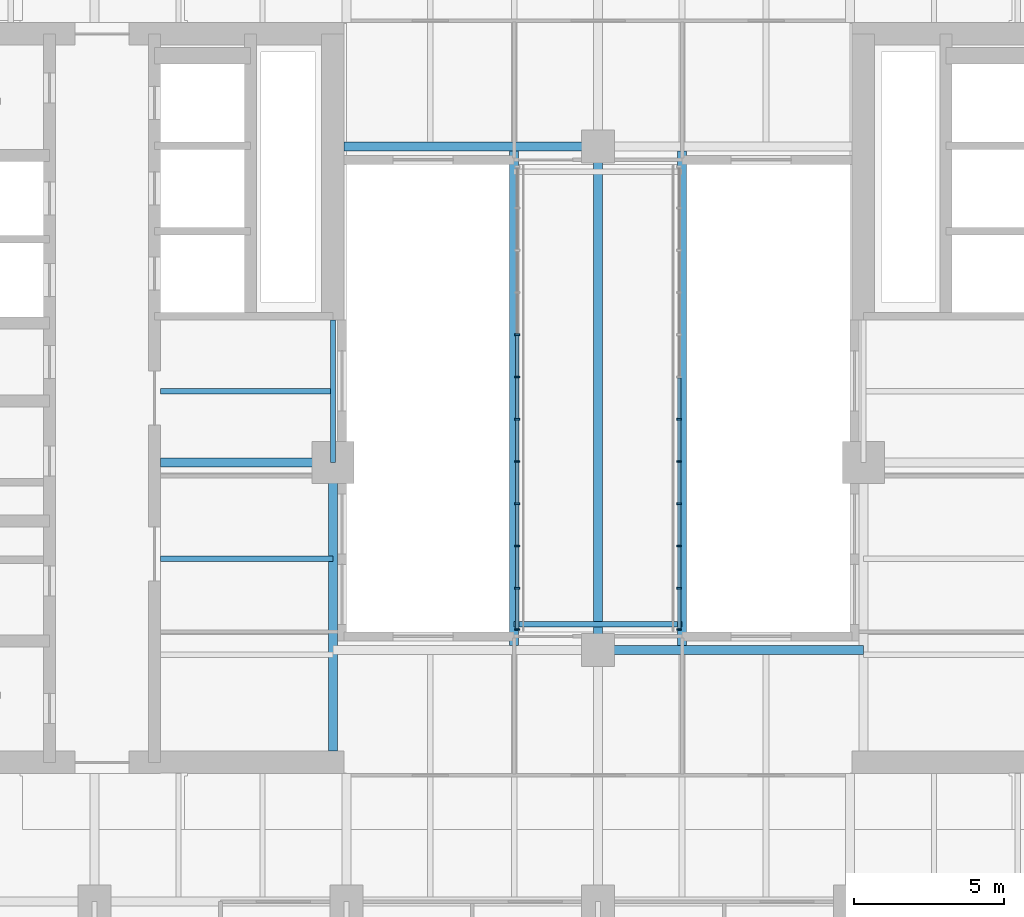
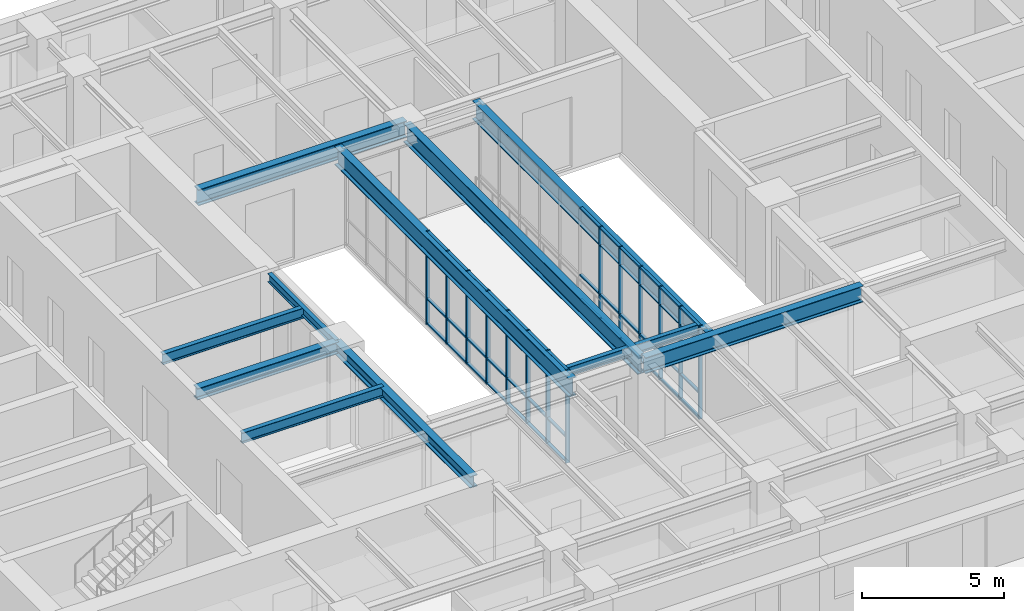
# One storey, part 2 of 15: 53 members, 11 beams, 2 elements without a shape of their own.
"""IFC4 building model written with IfcOpenShell, lengths in metres."""

from ifc_helpers import new_model, si_unit, direction, frame, origin, origin_2d, place, context, subcontext, project, spatial, rectangle, i_section, extrude, material, material_profile, profile_set, type_object, element, aggregate, save


model = new_model("IFC4")

# Units and contexts
model_context = context("Model", 3, precision=1e-05, world=origin(), true_north=direction((0.0, 1.0)))
body_context = subcontext(model_context, "Body", "Model", "MODEL_VIEW")
ifc_project = project(units=[si_unit("LENGTHUNIT", "METRE"), si_unit("AREAUNIT", "SQUARE_METRE"), si_unit("VOLUMEUNIT", "CUBIC_METRE"), si_unit("PLANEANGLEUNIT", "RADIAN"), si_unit("MASSUNIT", "GRAM", prefix="KILO")], contexts=[model_context])

# Site, building, storey
site_placement = place(None, origin())
site = spatial("IfcSite", under=ifc_project, at=site_placement, CompositionType="ELEMENT")
building_placement = place(site_placement, origin())
building = spatial("IfcBuilding", under=site, at=building_placement, Name="Claustro Exchange Tower", CompositionType="ELEMENT")
storey_placement = place(building_placement, frame((0.0, 0.0, 173.39990234375)))
storey = spatial("IfcBuildingStorey", under=building, at=storey_placement, Name="L39", CompositionType="ELEMENT", Elevation=173.39990234375)

# Beams
ifc_material_1 = material(Name="Steel S355", Category="steel")
ifc_material_profile_1 = material_profile(ifc_material_1, i_section(OverallWidth=0.300048828125, OverallDepth=0.68994140625, WebThickness=0.014404296875, FlangeThickness=0.027099609375, FilletRadius=0.027099609375, at=origin_2d()), Name="HE 700 A")
ifc_profile_set_1 = profile_set([ifc_material_profile_1], Name="Steel S355")
beam_type_1 = type_object("IfcBeamType", Name="B13 HE 700 A light well edge girder", PredefinedType="BEAM", material=ifc_profile_set_1)
beam_1_placement = place(storey_placement, frame((25.199951171875, 16.800048828125, 3.705078125), z_axis=(1.0, 0.0, 0.0), x_axis=(0.0, 1.0, 0.0)))
element("IfcBeam", 1, at=beam_1_placement, inside=storey, type_object=beam_type_1, Name="Beam B13 L40", PredefinedType="BEAM", context=body_context, shape_type="SweptSolid", body=[
    extrude(i_section(OverallWidth=0.300048828125, OverallDepth=0.68994140625, WebThickness=0.014404296875, FlangeThickness=0.027099609375, FilletRadius=0.027099609375, at=origin_2d()), origin(), (0.0, 0.0, 1.0), 8.85009765625),
])
beam_2_placement = place(storey_placement, frame((16.72509765625, 33.60009765625, 3.705078125), z_axis=(1.0, 0.0, 0.0), x_axis=(0.0, 1.0, 0.0)))
element("IfcBeam", 2, at=beam_2_placement, inside=storey, type_object=beam_type_1, Name="Beam B13 L40", PredefinedType="BEAM", context=body_context, shape_type="SweptSolid", body=[
    extrude(i_section(OverallWidth=0.300048828125, OverallDepth=0.68994140625, WebThickness=0.014404296875, FlangeThickness=0.027099609375, FilletRadius=0.027099609375, at=origin_2d()), origin(), (0.0, 0.0, 1.0), 8.474853515625),
])
ifc_material_2 = material(Name="Steel S355", Category="steel")
ifc_material_profile_2 = material_profile(ifc_material_2, i_section(OverallWidth=0.300048828125, OverallDepth=0.800048828125, WebThickness=0.017578125, FlangeThickness=0.032958984375, FilletRadius=0.030029296875, at=origin_2d()), Name="HE 800 B")
ifc_profile_set_2 = profile_set([ifc_material_profile_2], Name="Steel S355")
beam_type_2 = type_object("IfcBeamType", Name="B15 HE 800 B bridge roof girder", PredefinedType="BEAM", material=ifc_profile_set_2)
for number, where, z_axis, x_axis, name in (
    (3, (22.39990234375, 16.949951171875, 3.60009765625), (0.0, 1.0, 0.0), (-1.0, 0.0, 0.0), "Sky bridge girder B15 L39"),
    (4, (25.199951171875, 16.949951171875, 3.60009765625), (0.0, 1.0, 0.0), (-1.0, 0.0, 0.0), "Sky bridge girder B15 L39"),
    (5, (28.0, 16.949951171875, 3.60009765625), (0.0, 1.0, 0.0), (-1.0, 0.0, 0.0), "Sky bridge girder B15 L39"),
):
    element("IfcBeam", number, at=place(storey_placement, frame(where, z_axis=z_axis, x_axis=x_axis)), inside=storey, type_object=beam_type_2, Name=name, PredefinedType="BEAM", context=body_context, shape_type="SweptSolid", body=[
        extrude(i_section(OverallWidth=0.300048828125, OverallDepth=0.800048828125, WebThickness=0.017578125, FlangeThickness=0.032958984375, FilletRadius=0.030029296875, at=origin_2d()), origin(), (0.0, 0.0, 1.0), 16.5),
    ])
ifc_material_3 = material(Name="Steel S355", Category="steel")
ifc_material_profile_3 = material_profile(ifc_material_3, i_section(OverallWidth=0.169921875, OverallDepth=0.360107421875, WebThickness=0.008056640625, FlangeThickness=0.0126953125, FilletRadius=0.01806640625, at=origin_2d()), Name="IPE 360")
ifc_profile_set_3 = profile_set([ifc_material_profile_3], Name="Steel S355")
beam_type_3 = type_object("IfcBeamType", Name="B16 IPE 360 short-span beam", PredefinedType="BEAM", material=ifc_profile_set_3)
beam_3_placement = place(storey_placement, frame((16.35009765625, 23.050048828125, 3.8701171875), z_axis=(0.0, 1.0, 0.0), x_axis=(-1.0, 0.0, 0.0)))
element("IfcBeam", 6, at=beam_3_placement, inside=storey, type_object=beam_type_3, Name="Beam B16 core step framing L40", PredefinedType="BEAM", context=body_context, shape_type="SweptSolid", body=[
    extrude(i_section(OverallWidth=0.169921875, OverallDepth=0.360107421875, WebThickness=0.008056640625, FlangeThickness=0.0126953125, FilletRadius=0.01806640625, at=origin_2d()), origin(), (0.0, 0.0, 1.0), 4.75),
])
ifc_material_4 = material(Name="Steel S355", Category="steel")
ifc_material_profile_4 = material_profile(ifc_material_4, i_section(OverallWidth=0.179931640625, OverallDepth=0.39990234375, WebThickness=0.008544921875, FlangeThickness=0.013427734375, FilletRadius=0.02099609375, at=origin_2d()), Name="IPE 400")
ifc_profile_set_4 = profile_set([ifc_material_profile_4], Name="Steel S355")
beam_type_4 = type_object("IfcBeamType", Name="B21 IPE 400 sky bridge end trimmer", PredefinedType="BEAM", material=ifc_profile_set_4)
beam_4_placement = place(storey_placement, frame((22.39990234375, 17.64990234375, 3.800048828125), z_axis=(1.0, 0.0, 0.0), x_axis=(0.0, 1.0, 0.0)))
element("IfcBeam", 7, at=beam_4_placement, inside=storey, type_object=beam_type_4, Name="Sky bridge end trimmer B21 L39", PredefinedType="BEAM", context=body_context, shape_type="SweptSolid", body=[
    extrude(i_section(OverallWidth=0.179931640625, OverallDepth=0.39990234375, WebThickness=0.008544921875, FlangeThickness=0.013427734375, FilletRadius=0.02099609375, at=origin_2d()), origin(), (0.0, 0.0, 1.0), 5.60009765625),
])
ifc_material_5 = material(Name="Steel S355", Category="steel")
ifc_material_profile_5 = material_profile(ifc_material_5, i_section(OverallWidth=0.300048828125, OverallDepth=0.5, WebThickness=0.014404296875, FlangeThickness=0.028076171875, FilletRadius=0.027099609375, at=origin_2d()), Name="HE 500 B")
ifc_profile_set_5 = profile_set([ifc_material_profile_5], Name="Steel S355")
beam_type_5 = type_object("IfcBeamType", Name="B7 HE 500 B floor girder", PredefinedType="BEAM", material=ifc_profile_set_5)
beam_5_placement = place(storey_placement, frame((10.60009765625, 23.050048828125, 3.800048828125), z_axis=(1.0, 0.0, 0.0), x_axis=(0.0, 1.0, 0.0)))
element("IfcBeam", 8, at=beam_5_placement, inside=storey, type_object=beam_type_5, Name="Beam B7 core step framing L40", PredefinedType="BEAM", context=body_context, shape_type="SweptSolid", body=[
    extrude(i_section(OverallWidth=0.300048828125, OverallDepth=0.5, WebThickness=0.014404296875, FlangeThickness=0.028076171875, FilletRadius=0.027099609375, at=origin_2d()), origin(), (0.0, 0.0, 1.0), 5.75),
])
beam_6_placement = place(storey_placement, frame((16.35009765625, 13.425048828125, 3.800048828125), z_axis=(0.0, 1.0, 0.0), x_axis=(-1.0, 0.0, 0.0)))
element("IfcBeam", 9, at=beam_6_placement, inside=storey, type_object=beam_type_5, Name="Beam B7 core step framing L40", PredefinedType="BEAM", context=body_context, shape_type="SweptSolid", body=[
    extrude(i_section(OverallWidth=0.300048828125, OverallDepth=0.5, WebThickness=0.014404296875, FlangeThickness=0.028076171875, FilletRadius=0.027099609375, at=origin_2d()), origin(), (0.0, 0.0, 1.0), 9.625),
])
ifc_material_6 = material(Name="Steel S355", Category="steel")
ifc_material_profile_6 = material_profile(ifc_material_6, i_section(OverallWidth=0.18994140625, OverallDepth=0.449951171875, WebThickness=0.009521484375, FlangeThickness=0.0146484375, FilletRadius=0.02099609375, at=origin_2d()), Name="IPE 450")
ifc_profile_set_6 = profile_set([ifc_material_profile_6], Name="Steel S355")
beam_type_6 = type_object("IfcBeamType", Name="B8 IPE 450 secondary beam", PredefinedType="BEAM", material=ifc_profile_set_6)
for number, where, z_axis, x_axis, name in (
    (10, (10.60009765625, 19.841796875, 3.8251953125), (1.0, 0.0, 0.0), (0.0, 1.0, 0.0), "Beam B8 core step framing L40"),
    (11, (10.60009765625, 25.425048828125, 3.8251953125), (1.0, 0.0, 0.0), (0.0, 1.0, 0.0), "Beam B8 core step framing L40"),
):
    element("IfcBeam", number, at=place(storey_placement, frame(where, z_axis=z_axis, x_axis=x_axis)), inside=storey, type_object=beam_type_6, Name=name, PredefinedType="BEAM", context=body_context, shape_type="SweptSolid", body=[
        extrude(i_section(OverallWidth=0.18994140625, OverallDepth=0.449951171875, WebThickness=0.009521484375, FlangeThickness=0.0146484375, FilletRadius=0.02099609375, at=origin_2d()), origin(), (0.0, 0.0, 1.0), 5.75),
    ])

# Curtain wall, members
ifc_material_7 = material(Name="Aluminium frame, clear double glazing", Category="aluminium")
curtain_wall_type = type_object("IfcCurtainWallType", Name="CW2 sky bridge curtain wall", PredefinedType="USERDEFINED", material=ifc_material_7)
curtain_wall_1_placement = place(storey_placement, origin())
curtain_wall_1 = element("IfcCurtainWall", 12, at=curtain_wall_1_placement, inside=storey, type_object=curtain_wall_type, Name="Curtain wall CW2 L39", ObjectType="STICK CURTAIN WALL", PredefinedType="USERDEFINED")
ifc_material_8 = material(Name="Aluminium mullion", Category="aluminium")
ifc_material_profile_7 = material_profile(ifc_material_8, rectangle(XDim=0.159912109375, YDim=0.06005859375, at=origin_2d()), Name="CW2-M 60x160")
ifc_profile_set_7 = profile_set([ifc_material_profile_7], Name="Aluminium mullion")
member_type_1 = type_object("IfcMemberType", Name="CW2-M 60 x 160 mullion", PredefinedType="MULLION", material=ifc_profile_set_7)
member_1_placement = place(storey_placement, frame((22.5, 17.47998046875, 0.0), z_axis=(0.0, 0.0, 1.0), x_axis=(-1.0, 0.0, 0.0)))
member_1 = element("IfcMember", 13, at=member_1_placement, type_object=member_type_1, Name="CW2 mullion 1", PredefinedType="MULLION", context=body_context, shape_type="SweptSolid", body=[
    extrude(rectangle(XDim=0.159912109375, YDim=0.06005859375, at=origin_2d()), origin(), (0.0, 0.0, 1.0), 4.0),
])
member_2_placement = place(storey_placement, frame((22.5, 18.859130859375, 0.0), z_axis=(0.0, 0.0, 1.0), x_axis=(-1.0, 0.0, 0.0)))
member_2 = element("IfcMember", 14, at=member_2_placement, type_object=member_type_1, Name="CW2 mullion 2", PredefinedType="MULLION", context=body_context, shape_type="SweptSolid", body=[
    extrude(rectangle(XDim=0.159912109375, YDim=0.06005859375, at=origin_2d()), origin(), (0.0, 0.0, 1.0), 4.0),
])
member_3_placement = place(storey_placement, frame((22.5, 20.26806640625, 0.0), z_axis=(0.0, 0.0, 1.0), x_axis=(-1.0, 0.0, 0.0)))
member_3 = element("IfcMember", 15, at=member_3_placement, type_object=member_type_1, Name="CW2 mullion 3", PredefinedType="MULLION", context=body_context, shape_type="SweptSolid", body=[
    extrude(rectangle(XDim=0.159912109375, YDim=0.06005859375, at=origin_2d()), origin(), (0.0, 0.0, 1.0), 4.0),
])
member_4_placement = place(storey_placement, frame((22.5, 21.67724609375, 0.0), z_axis=(0.0, 0.0, 1.0), x_axis=(-1.0, 0.0, 0.0)))
member_4 = element("IfcMember", 16, at=member_4_placement, type_object=member_type_1, Name="CW2 mullion 4", PredefinedType="MULLION", context=body_context, shape_type="SweptSolid", body=[
    extrude(rectangle(XDim=0.159912109375, YDim=0.06005859375, at=origin_2d()), origin(), (0.0, 0.0, 1.0), 4.0),
])
member_5_placement = place(storey_placement, frame((22.5, 23.08642578125, 0.0), z_axis=(0.0, 0.0, 1.0), x_axis=(-1.0, 0.0, 0.0)))
member_5 = element("IfcMember", 17, at=member_5_placement, type_object=member_type_1, Name="CW2 mullion 5", PredefinedType="MULLION", context=body_context, shape_type="SweptSolid", body=[
    extrude(rectangle(XDim=0.159912109375, YDim=0.06005859375, at=origin_2d()), origin(), (0.0, 0.0, 1.0), 4.0),
])
member_6_placement = place(storey_placement, frame((22.5, 24.495361328125, 0.0), z_axis=(0.0, 0.0, 1.0), x_axis=(-1.0, 0.0, 0.0)))
member_6 = element("IfcMember", 18, at=member_6_placement, type_object=member_type_1, Name="CW2 mullion 6", PredefinedType="MULLION", context=body_context, shape_type="SweptSolid", body=[
    extrude(rectangle(XDim=0.159912109375, YDim=0.06005859375, at=origin_2d()), origin(), (0.0, 0.0, 1.0), 4.0),
])
member_7_placement = place(storey_placement, frame((22.5, 25.904541015625, 0.0), z_axis=(0.0, 0.0, 1.0), x_axis=(-1.0, 0.0, 0.0)))
member_7 = element("IfcMember", 19, at=member_7_placement, type_object=member_type_1, Name="CW2 mullion 7", PredefinedType="MULLION", context=body_context, shape_type="SweptSolid", body=[
    extrude(rectangle(XDim=0.159912109375, YDim=0.06005859375, at=origin_2d()), origin(), (0.0, 0.0, 1.0), 4.0),
])
member_8_placement = place(storey_placement, frame((22.5, 27.313720703125, 0.0), z_axis=(0.0, 0.0, 1.0), x_axis=(-1.0, 0.0, 0.0)))
member_8 = element("IfcMember", 20, at=member_8_placement, type_object=member_type_1, Name="CW2 mullion 8", PredefinedType="MULLION", context=body_context, shape_type="SweptSolid", body=[
    extrude(rectangle(XDim=0.159912109375, YDim=0.06005859375, at=origin_2d()), origin(), (0.0, 0.0, 1.0), 4.0),
])

curtain_wall_2_placement = place(storey_placement, origin())
curtain_wall_2 = element("IfcCurtainWall", 21, at=curtain_wall_2_placement, inside=storey, type_object=curtain_wall_type, Name="Curtain wall CW2 L39", ObjectType="STICK CURTAIN WALL", PredefinedType="USERDEFINED")
member_9_placement = place(storey_placement, frame((27.89990234375, 17.47998046875, 0.0), z_axis=(0.0, 0.0, 1.0), x_axis=(-1.0, 0.0, 0.0)))
member_9 = element("IfcMember", 22, at=member_9_placement, type_object=member_type_1, Name="CW2 mullion 1", PredefinedType="MULLION", context=body_context, shape_type="SweptSolid", body=[
    extrude(rectangle(XDim=0.159912109375, YDim=0.06005859375, at=origin_2d()), origin(), (0.0, 0.0, 1.0), 4.0),
])
member_10_placement = place(storey_placement, frame((27.89990234375, 18.859130859375, 0.0), z_axis=(0.0, 0.0, 1.0), x_axis=(-1.0, 0.0, 0.0)))
member_10 = element("IfcMember", 23, at=member_10_placement, type_object=member_type_1, Name="CW2 mullion 2", PredefinedType="MULLION", context=body_context, shape_type="SweptSolid", body=[
    extrude(rectangle(XDim=0.159912109375, YDim=0.06005859375, at=origin_2d()), origin(), (0.0, 0.0, 1.0), 4.0),
])
member_11_placement = place(storey_placement, frame((27.89990234375, 20.26806640625, 0.0), z_axis=(0.0, 0.0, 1.0), x_axis=(-1.0, 0.0, 0.0)))
member_11 = element("IfcMember", 24, at=member_11_placement, type_object=member_type_1, Name="CW2 mullion 3", PredefinedType="MULLION", context=body_context, shape_type="SweptSolid", body=[
    extrude(rectangle(XDim=0.159912109375, YDim=0.06005859375, at=origin_2d()), origin(), (0.0, 0.0, 1.0), 4.0),
])
member_12_placement = place(storey_placement, frame((27.89990234375, 21.67724609375, 0.0), z_axis=(0.0, 0.0, 1.0), x_axis=(-1.0, 0.0, 0.0)))
member_12 = element("IfcMember", 25, at=member_12_placement, type_object=member_type_1, Name="CW2 mullion 4", PredefinedType="MULLION", context=body_context, shape_type="SweptSolid", body=[
    extrude(rectangle(XDim=0.159912109375, YDim=0.06005859375, at=origin_2d()), origin(), (0.0, 0.0, 1.0), 4.0),
])
member_13_placement = place(storey_placement, frame((27.89990234375, 23.08642578125, 0.0), z_axis=(0.0, 0.0, 1.0), x_axis=(-1.0, 0.0, 0.0)))
member_13 = element("IfcMember", 26, at=member_13_placement, type_object=member_type_1, Name="CW2 mullion 5", PredefinedType="MULLION", context=body_context, shape_type="SweptSolid", body=[
    extrude(rectangle(XDim=0.159912109375, YDim=0.06005859375, at=origin_2d()), origin(), (0.0, 0.0, 1.0), 4.0),
])
member_14_placement = place(storey_placement, frame((27.89990234375, 24.495361328125, 0.0), z_axis=(0.0, 0.0, 1.0), x_axis=(-1.0, 0.0, 0.0)))
member_14 = element("IfcMember", 27, at=member_14_placement, type_object=member_type_1, Name="CW2 mullion 6", PredefinedType="MULLION", context=body_context, shape_type="SweptSolid", body=[
    extrude(rectangle(XDim=0.159912109375, YDim=0.06005859375, at=origin_2d()), origin(), (0.0, 0.0, 1.0), 4.0),
])

# Member
ifc_material_9 = material(Name="Aluminium transom", Category="aluminium")
ifc_material_profile_8 = material_profile(ifc_material_9, rectangle(XDim=0.1201171875, YDim=0.06005859375, at=origin_2d()), Name="CW2-T 60x120")
ifc_profile_set_8 = profile_set([ifc_material_profile_8], Name="Aluminium transom")
member_type_2 = type_object("IfcMemberType", Name="CW2-T 60 x 120 transom", PredefinedType="USERDEFINED", material=ifc_profile_set_8)
member_15_placement = place(storey_placement, frame((22.5, 17.510009765625, 0.030029296875), z_axis=(0.0, 1.0, 0.0), x_axis=(-1.0, 0.0, 0.0)))
member_15 = element("IfcMember", 28, at=member_15_placement, type_object=member_type_2, Name="CW2 transom 1.1", ObjectType="TRANSOM", PredefinedType="USERDEFINED", context=body_context, shape_type="SweptSolid", body=[
    extrude(rectangle(XDim=0.1201171875, YDim=0.06005859375, at=origin_2d()), origin(), (0.0, 0.0, 1.0), 1.319091796875),
])

member_16_placement = place(storey_placement, frame((22.5, 17.510009765625, 1.10009765625), z_axis=(0.0, 1.0, 0.0), x_axis=(-1.0, 0.0, 0.0)))
member_16 = element("IfcMember", 29, at=member_16_placement, type_object=member_type_2, Name="CW2 transom 1.2", ObjectType="TRANSOM", PredefinedType="USERDEFINED", context=body_context, shape_type="SweptSolid", body=[
    extrude(rectangle(XDim=0.1201171875, YDim=0.06005859375, at=origin_2d()), origin(), (0.0, 0.0, 1.0), 1.319091796875),
])

member_17_placement = place(storey_placement, frame((22.5, 17.510009765625, 3.97021484375), z_axis=(0.0, 1.0, 0.0), x_axis=(-1.0, 0.0, 0.0)))
member_17 = element("IfcMember", 30, at=member_17_placement, type_object=member_type_2, Name="CW2 transom 1.3", ObjectType="TRANSOM", PredefinedType="USERDEFINED", context=body_context, shape_type="SweptSolid", body=[
    extrude(rectangle(XDim=0.1201171875, YDim=0.06005859375, at=origin_2d()), origin(), (0.0, 0.0, 1.0), 1.319091796875),
])

member_18_placement = place(storey_placement, frame((22.5, 18.88916015625, 0.030029296875), z_axis=(0.0, 1.0, 0.0), x_axis=(-1.0, 0.0, 0.0)))
member_18 = element("IfcMember", 31, at=member_18_placement, type_object=member_type_2, Name="CW2 transom 2.1", ObjectType="TRANSOM", PredefinedType="USERDEFINED", context=body_context, shape_type="SweptSolid", body=[
    extrude(rectangle(XDim=0.1201171875, YDim=0.06005859375, at=origin_2d()), origin(), (0.0, 0.0, 1.0), 1.34912109375),
])

member_19_placement = place(storey_placement, frame((22.5, 18.88916015625, 1.10009765625), z_axis=(0.0, 1.0, 0.0), x_axis=(-1.0, 0.0, 0.0)))
member_19 = element("IfcMember", 32, at=member_19_placement, type_object=member_type_2, Name="CW2 transom 2.2", ObjectType="TRANSOM", PredefinedType="USERDEFINED", context=body_context, shape_type="SweptSolid", body=[
    extrude(rectangle(XDim=0.1201171875, YDim=0.06005859375, at=origin_2d()), origin(), (0.0, 0.0, 1.0), 1.34912109375),
])

member_20_placement = place(storey_placement, frame((22.5, 18.88916015625, 3.97021484375), z_axis=(0.0, 1.0, 0.0), x_axis=(-1.0, 0.0, 0.0)))
member_20 = element("IfcMember", 33, at=member_20_placement, type_object=member_type_2, Name="CW2 transom 2.3", ObjectType="TRANSOM", PredefinedType="USERDEFINED", context=body_context, shape_type="SweptSolid", body=[
    extrude(rectangle(XDim=0.1201171875, YDim=0.06005859375, at=origin_2d()), origin(), (0.0, 0.0, 1.0), 1.34912109375),
])

member_21_placement = place(storey_placement, frame((22.5, 20.298095703125, 0.030029296875), z_axis=(0.0, 1.0, 0.0), x_axis=(-1.0, 0.0, 0.0)))
member_21 = element("IfcMember", 34, at=member_21_placement, type_object=member_type_2, Name="CW2 transom 3.1", ObjectType="TRANSOM", PredefinedType="USERDEFINED", context=body_context, shape_type="SweptSolid", body=[
    extrude(rectangle(XDim=0.1201171875, YDim=0.06005859375, at=origin_2d()), origin(), (0.0, 0.0, 1.0), 1.34912109375),
])

member_22_placement = place(storey_placement, frame((22.5, 20.298095703125, 1.10009765625), z_axis=(0.0, 1.0, 0.0), x_axis=(-1.0, 0.0, 0.0)))
member_22 = element("IfcMember", 35, at=member_22_placement, type_object=member_type_2, Name="CW2 transom 3.2", ObjectType="TRANSOM", PredefinedType="USERDEFINED", context=body_context, shape_type="SweptSolid", body=[
    extrude(rectangle(XDim=0.1201171875, YDim=0.06005859375, at=origin_2d()), origin(), (0.0, 0.0, 1.0), 1.34912109375),
])

member_23_placement = place(storey_placement, frame((22.5, 20.298095703125, 3.97021484375), z_axis=(0.0, 1.0, 0.0), x_axis=(-1.0, 0.0, 0.0)))
member_23 = element("IfcMember", 36, at=member_23_placement, type_object=member_type_2, Name="CW2 transom 3.3", ObjectType="TRANSOM", PredefinedType="USERDEFINED", context=body_context, shape_type="SweptSolid", body=[
    extrude(rectangle(XDim=0.1201171875, YDim=0.06005859375, at=origin_2d()), origin(), (0.0, 0.0, 1.0), 1.34912109375),
])

member_24_placement = place(storey_placement, frame((22.5, 21.707275390625, 0.030029296875), z_axis=(0.0, 1.0, 0.0), x_axis=(-1.0, 0.0, 0.0)))
member_24 = element("IfcMember", 37, at=member_24_placement, type_object=member_type_2, Name="CW2 transom 4.1", ObjectType="TRANSOM", PredefinedType="USERDEFINED", context=body_context, shape_type="SweptSolid", body=[
    extrude(rectangle(XDim=0.1201171875, YDim=0.06005859375, at=origin_2d()), origin(), (0.0, 0.0, 1.0), 1.34912109375),
])

member_25_placement = place(storey_placement, frame((22.5, 21.707275390625, 1.10009765625), z_axis=(0.0, 1.0, 0.0), x_axis=(-1.0, 0.0, 0.0)))
member_25 = element("IfcMember", 38, at=member_25_placement, type_object=member_type_2, Name="CW2 transom 4.2", ObjectType="TRANSOM", PredefinedType="USERDEFINED", context=body_context, shape_type="SweptSolid", body=[
    extrude(rectangle(XDim=0.1201171875, YDim=0.06005859375, at=origin_2d()), origin(), (0.0, 0.0, 1.0), 1.34912109375),
])

member_26_placement = place(storey_placement, frame((22.5, 21.707275390625, 3.97021484375), z_axis=(0.0, 1.0, 0.0), x_axis=(-1.0, 0.0, 0.0)))
member_26 = element("IfcMember", 39, at=member_26_placement, type_object=member_type_2, Name="CW2 transom 4.3", ObjectType="TRANSOM", PredefinedType="USERDEFINED", context=body_context, shape_type="SweptSolid", body=[
    extrude(rectangle(XDim=0.1201171875, YDim=0.06005859375, at=origin_2d()), origin(), (0.0, 0.0, 1.0), 1.34912109375),
])

member_27_placement = place(storey_placement, frame((22.5, 23.116455078125, 0.030029296875), z_axis=(0.0, 1.0, 0.0), x_axis=(-1.0, 0.0, 0.0)))
member_27 = element("IfcMember", 40, at=member_27_placement, type_object=member_type_2, Name="CW2 transom 5.1", ObjectType="TRANSOM", PredefinedType="USERDEFINED", context=body_context, shape_type="SweptSolid", body=[
    extrude(rectangle(XDim=0.1201171875, YDim=0.06005859375, at=origin_2d()), origin(), (0.0, 0.0, 1.0), 1.34912109375),
])

member_28_placement = place(storey_placement, frame((22.5, 23.116455078125, 1.10009765625), z_axis=(0.0, 1.0, 0.0), x_axis=(-1.0, 0.0, 0.0)))
member_28 = element("IfcMember", 41, at=member_28_placement, type_object=member_type_2, Name="CW2 transom 5.2", ObjectType="TRANSOM", PredefinedType="USERDEFINED", context=body_context, shape_type="SweptSolid", body=[
    extrude(rectangle(XDim=0.1201171875, YDim=0.06005859375, at=origin_2d()), origin(), (0.0, 0.0, 1.0), 1.34912109375),
])

member_29_placement = place(storey_placement, frame((22.5, 23.116455078125, 3.97021484375), z_axis=(0.0, 1.0, 0.0), x_axis=(-1.0, 0.0, 0.0)))
member_29 = element("IfcMember", 42, at=member_29_placement, type_object=member_type_2, Name="CW2 transom 5.3", ObjectType="TRANSOM", PredefinedType="USERDEFINED", context=body_context, shape_type="SweptSolid", body=[
    extrude(rectangle(XDim=0.1201171875, YDim=0.06005859375, at=origin_2d()), origin(), (0.0, 0.0, 1.0), 1.34912109375),
])

member_30_placement = place(storey_placement, frame((22.5, 24.525390625, 0.030029296875), z_axis=(0.0, 1.0, 0.0), x_axis=(-1.0, 0.0, 0.0)))
member_30 = element("IfcMember", 43, at=member_30_placement, type_object=member_type_2, Name="CW2 transom 6.1", ObjectType="TRANSOM", PredefinedType="USERDEFINED", context=body_context, shape_type="SweptSolid", body=[
    extrude(rectangle(XDim=0.1201171875, YDim=0.06005859375, at=origin_2d()), origin(), (0.0, 0.0, 1.0), 1.34912109375),
])

member_31_placement = place(storey_placement, frame((22.5, 24.525390625, 1.10009765625), z_axis=(0.0, 1.0, 0.0), x_axis=(-1.0, 0.0, 0.0)))
member_31 = element("IfcMember", 44, at=member_31_placement, type_object=member_type_2, Name="CW2 transom 6.2", ObjectType="TRANSOM", PredefinedType="USERDEFINED", context=body_context, shape_type="SweptSolid", body=[
    extrude(rectangle(XDim=0.1201171875, YDim=0.06005859375, at=origin_2d()), origin(), (0.0, 0.0, 1.0), 1.34912109375),
])

member_32_placement = place(storey_placement, frame((22.5, 24.525390625, 3.97021484375), z_axis=(0.0, 1.0, 0.0), x_axis=(-1.0, 0.0, 0.0)))
member_32 = element("IfcMember", 45, at=member_32_placement, type_object=member_type_2, Name="CW2 transom 6.3", ObjectType="TRANSOM", PredefinedType="USERDEFINED", context=body_context, shape_type="SweptSolid", body=[
    extrude(rectangle(XDim=0.1201171875, YDim=0.06005859375, at=origin_2d()), origin(), (0.0, 0.0, 1.0), 1.34912109375),
])

member_33_placement = place(storey_placement, frame((22.5, 25.9345703125, 0.030029296875), z_axis=(0.0, 1.0, 0.0), x_axis=(-1.0, 0.0, 0.0)))
member_33 = element("IfcMember", 46, at=member_33_placement, type_object=member_type_2, Name="CW2 transom 7.1", ObjectType="TRANSOM", PredefinedType="USERDEFINED", context=body_context, shape_type="SweptSolid", body=[
    extrude(rectangle(XDim=0.1201171875, YDim=0.06005859375, at=origin_2d()), origin(), (0.0, 0.0, 1.0), 1.34912109375),
])

member_34_placement = place(storey_placement, frame((22.5, 25.9345703125, 1.10009765625), z_axis=(0.0, 1.0, 0.0), x_axis=(-1.0, 0.0, 0.0)))
member_34 = element("IfcMember", 47, at=member_34_placement, type_object=member_type_2, Name="CW2 transom 7.2", ObjectType="TRANSOM", PredefinedType="USERDEFINED", context=body_context, shape_type="SweptSolid", body=[
    extrude(rectangle(XDim=0.1201171875, YDim=0.06005859375, at=origin_2d()), origin(), (0.0, 0.0, 1.0), 1.34912109375),
])

member_35_placement = place(storey_placement, frame((22.5, 25.9345703125, 3.97021484375), z_axis=(0.0, 1.0, 0.0), x_axis=(-1.0, 0.0, 0.0)))
member_35 = element("IfcMember", 48, at=member_35_placement, type_object=member_type_2, Name="CW2 transom 7.3", ObjectType="TRANSOM", PredefinedType="USERDEFINED", context=body_context, shape_type="SweptSolid", body=[
    extrude(rectangle(XDim=0.1201171875, YDim=0.06005859375, at=origin_2d()), origin(), (0.0, 0.0, 1.0), 1.34912109375),
])

aggregate(curtain_wall_1, [member_1, member_2, member_3, member_4, member_5, member_6, member_7, member_8, member_15, member_16, member_17, member_18, member_19, member_20, member_21, member_22, member_23, member_24, member_25, member_26, member_27, member_28, member_29, member_30, member_31, member_32, member_33, member_34, member_35])

member_36_placement = place(storey_placement, frame((27.89990234375, 17.510009765625, 0.030029296875), z_axis=(0.0, 1.0, 0.0), x_axis=(-1.0, 0.0, 0.0)))
member_36 = element("IfcMember", 49, at=member_36_placement, type_object=member_type_2, Name="CW2 transom 1.1", ObjectType="TRANSOM", PredefinedType="USERDEFINED", context=body_context, shape_type="SweptSolid", body=[
    extrude(rectangle(XDim=0.1201171875, YDim=0.06005859375, at=origin_2d()), origin(), (0.0, 0.0, 1.0), 1.319091796875),
])

member_37_placement = place(storey_placement, frame((27.89990234375, 17.510009765625, 1.10009765625), z_axis=(0.0, 1.0, 0.0), x_axis=(-1.0, 0.0, 0.0)))
member_37 = element("IfcMember", 50, at=member_37_placement, type_object=member_type_2, Name="CW2 transom 1.2", ObjectType="TRANSOM", PredefinedType="USERDEFINED", context=body_context, shape_type="SweptSolid", body=[
    extrude(rectangle(XDim=0.1201171875, YDim=0.06005859375, at=origin_2d()), origin(), (0.0, 0.0, 1.0), 1.319091796875),
])

member_38_placement = place(storey_placement, frame((27.89990234375, 17.510009765625, 3.97021484375), z_axis=(0.0, 1.0, 0.0), x_axis=(-1.0, 0.0, 0.0)))
member_38 = element("IfcMember", 51, at=member_38_placement, type_object=member_type_2, Name="CW2 transom 1.3", ObjectType="TRANSOM", PredefinedType="USERDEFINED", context=body_context, shape_type="SweptSolid", body=[
    extrude(rectangle(XDim=0.1201171875, YDim=0.06005859375, at=origin_2d()), origin(), (0.0, 0.0, 1.0), 1.319091796875),
])

member_39_placement = place(storey_placement, frame((27.89990234375, 18.88916015625, 0.030029296875), z_axis=(0.0, 1.0, 0.0), x_axis=(-1.0, 0.0, 0.0)))
member_39 = element("IfcMember", 52, at=member_39_placement, type_object=member_type_2, Name="CW2 transom 2.1", ObjectType="TRANSOM", PredefinedType="USERDEFINED", context=body_context, shape_type="SweptSolid", body=[
    extrude(rectangle(XDim=0.1201171875, YDim=0.06005859375, at=origin_2d()), origin(), (0.0, 0.0, 1.0), 1.34912109375),
])

member_40_placement = place(storey_placement, frame((27.89990234375, 18.88916015625, 1.10009765625), z_axis=(0.0, 1.0, 0.0), x_axis=(-1.0, 0.0, 0.0)))
member_40 = element("IfcMember", 53, at=member_40_placement, type_object=member_type_2, Name="CW2 transom 2.2", ObjectType="TRANSOM", PredefinedType="USERDEFINED", context=body_context, shape_type="SweptSolid", body=[
    extrude(rectangle(XDim=0.1201171875, YDim=0.06005859375, at=origin_2d()), origin(), (0.0, 0.0, 1.0), 1.34912109375),
])

member_41_placement = place(storey_placement, frame((27.89990234375, 18.88916015625, 3.97021484375), z_axis=(0.0, 1.0, 0.0), x_axis=(-1.0, 0.0, 0.0)))
member_41 = element("IfcMember", 54, at=member_41_placement, type_object=member_type_2, Name="CW2 transom 2.3", ObjectType="TRANSOM", PredefinedType="USERDEFINED", context=body_context, shape_type="SweptSolid", body=[
    extrude(rectangle(XDim=0.1201171875, YDim=0.06005859375, at=origin_2d()), origin(), (0.0, 0.0, 1.0), 1.34912109375),
])

member_42_placement = place(storey_placement, frame((27.89990234375, 20.298095703125, 0.030029296875), z_axis=(0.0, 1.0, 0.0), x_axis=(-1.0, 0.0, 0.0)))
member_42 = element("IfcMember", 55, at=member_42_placement, type_object=member_type_2, Name="CW2 transom 3.1", ObjectType="TRANSOM", PredefinedType="USERDEFINED", context=body_context, shape_type="SweptSolid", body=[
    extrude(rectangle(XDim=0.1201171875, YDim=0.06005859375, at=origin_2d()), origin(), (0.0, 0.0, 1.0), 1.34912109375),
])

member_43_placement = place(storey_placement, frame((27.89990234375, 20.298095703125, 1.10009765625), z_axis=(0.0, 1.0, 0.0), x_axis=(-1.0, 0.0, 0.0)))
member_43 = element("IfcMember", 56, at=member_43_placement, type_object=member_type_2, Name="CW2 transom 3.2", ObjectType="TRANSOM", PredefinedType="USERDEFINED", context=body_context, shape_type="SweptSolid", body=[
    extrude(rectangle(XDim=0.1201171875, YDim=0.06005859375, at=origin_2d()), origin(), (0.0, 0.0, 1.0), 1.34912109375),
])

member_44_placement = place(storey_placement, frame((27.89990234375, 20.298095703125, 3.97021484375), z_axis=(0.0, 1.0, 0.0), x_axis=(-1.0, 0.0, 0.0)))
member_44 = element("IfcMember", 57, at=member_44_placement, type_object=member_type_2, Name="CW2 transom 3.3", ObjectType="TRANSOM", PredefinedType="USERDEFINED", context=body_context, shape_type="SweptSolid", body=[
    extrude(rectangle(XDim=0.1201171875, YDim=0.06005859375, at=origin_2d()), origin(), (0.0, 0.0, 1.0), 1.34912109375),
])

member_45_placement = place(storey_placement, frame((27.89990234375, 21.707275390625, 0.030029296875), z_axis=(0.0, 1.0, 0.0), x_axis=(-1.0, 0.0, 0.0)))
member_45 = element("IfcMember", 58, at=member_45_placement, type_object=member_type_2, Name="CW2 transom 4.1", ObjectType="TRANSOM", PredefinedType="USERDEFINED", context=body_context, shape_type="SweptSolid", body=[
    extrude(rectangle(XDim=0.1201171875, YDim=0.06005859375, at=origin_2d()), origin(), (0.0, 0.0, 1.0), 1.34912109375),
])

member_46_placement = place(storey_placement, frame((27.89990234375, 21.707275390625, 1.10009765625), z_axis=(0.0, 1.0, 0.0), x_axis=(-1.0, 0.0, 0.0)))
member_46 = element("IfcMember", 59, at=member_46_placement, type_object=member_type_2, Name="CW2 transom 4.2", ObjectType="TRANSOM", PredefinedType="USERDEFINED", context=body_context, shape_type="SweptSolid", body=[
    extrude(rectangle(XDim=0.1201171875, YDim=0.06005859375, at=origin_2d()), origin(), (0.0, 0.0, 1.0), 1.34912109375),
])

member_47_placement = place(storey_placement, frame((27.89990234375, 21.707275390625, 3.97021484375), z_axis=(0.0, 1.0, 0.0), x_axis=(-1.0, 0.0, 0.0)))
member_47 = element("IfcMember", 60, at=member_47_placement, type_object=member_type_2, Name="CW2 transom 4.3", ObjectType="TRANSOM", PredefinedType="USERDEFINED", context=body_context, shape_type="SweptSolid", body=[
    extrude(rectangle(XDim=0.1201171875, YDim=0.06005859375, at=origin_2d()), origin(), (0.0, 0.0, 1.0), 1.34912109375),
])

member_48_placement = place(storey_placement, frame((27.89990234375, 23.116455078125, 0.030029296875), z_axis=(0.0, 1.0, 0.0), x_axis=(-1.0, 0.0, 0.0)))
member_48 = element("IfcMember", 61, at=member_48_placement, type_object=member_type_2, Name="CW2 transom 5.1", ObjectType="TRANSOM", PredefinedType="USERDEFINED", context=body_context, shape_type="SweptSolid", body=[
    extrude(rectangle(XDim=0.1201171875, YDim=0.06005859375, at=origin_2d()), origin(), (0.0, 0.0, 1.0), 1.34912109375),
])

member_49_placement = place(storey_placement, frame((27.89990234375, 23.116455078125, 1.10009765625), z_axis=(0.0, 1.0, 0.0), x_axis=(-1.0, 0.0, 0.0)))
member_49 = element("IfcMember", 62, at=member_49_placement, type_object=member_type_2, Name="CW2 transom 5.2", ObjectType="TRANSOM", PredefinedType="USERDEFINED", context=body_context, shape_type="SweptSolid", body=[
    extrude(rectangle(XDim=0.1201171875, YDim=0.06005859375, at=origin_2d()), origin(), (0.0, 0.0, 1.0), 1.34912109375),
])

member_50_placement = place(storey_placement, frame((27.89990234375, 23.116455078125, 3.97021484375), z_axis=(0.0, 1.0, 0.0), x_axis=(-1.0, 0.0, 0.0)))
member_50 = element("IfcMember", 63, at=member_50_placement, type_object=member_type_2, Name="CW2 transom 5.3", ObjectType="TRANSOM", PredefinedType="USERDEFINED", context=body_context, shape_type="SweptSolid", body=[
    extrude(rectangle(XDim=0.1201171875, YDim=0.06005859375, at=origin_2d()), origin(), (0.0, 0.0, 1.0), 1.34912109375),
])

member_51_placement = place(storey_placement, frame((27.89990234375, 24.525390625, 0.030029296875), z_axis=(0.0, 1.0, 0.0), x_axis=(-1.0, 0.0, 0.0)))
member_51 = element("IfcMember", 64, at=member_51_placement, type_object=member_type_2, Name="CW2 transom 6.1", ObjectType="TRANSOM", PredefinedType="USERDEFINED", context=body_context, shape_type="SweptSolid", body=[
    extrude(rectangle(XDim=0.1201171875, YDim=0.06005859375, at=origin_2d()), origin(), (0.0, 0.0, 1.0), 1.34912109375),
])

member_52_placement = place(storey_placement, frame((27.89990234375, 24.525390625, 1.10009765625), z_axis=(0.0, 1.0, 0.0), x_axis=(-1.0, 0.0, 0.0)))
member_52 = element("IfcMember", 65, at=member_52_placement, type_object=member_type_2, Name="CW2 transom 6.2", ObjectType="TRANSOM", PredefinedType="USERDEFINED", context=body_context, shape_type="SweptSolid", body=[
    extrude(rectangle(XDim=0.1201171875, YDim=0.06005859375, at=origin_2d()), origin(), (0.0, 0.0, 1.0), 1.34912109375),
])

member_53_placement = place(storey_placement, frame((27.89990234375, 24.525390625, 3.97021484375), z_axis=(0.0, 1.0, 0.0), x_axis=(-1.0, 0.0, 0.0)))
member_53 = element("IfcMember", 66, at=member_53_placement, type_object=member_type_2, Name="CW2 transom 6.3", ObjectType="TRANSOM", PredefinedType="USERDEFINED", context=body_context, shape_type="SweptSolid", body=[
    extrude(rectangle(XDim=0.1201171875, YDim=0.06005859375, at=origin_2d()), origin(), (0.0, 0.0, 1.0), 1.34912109375),
])

aggregate(curtain_wall_2, [member_9, member_10, member_11, member_12, member_13, member_14, member_36, member_37, member_38, member_39, member_40, member_41, member_42, member_43, member_44, member_45, member_46, member_47, member_48, member_49, member_50, member_51, member_52, member_53])

save(model, "model.ifc")
